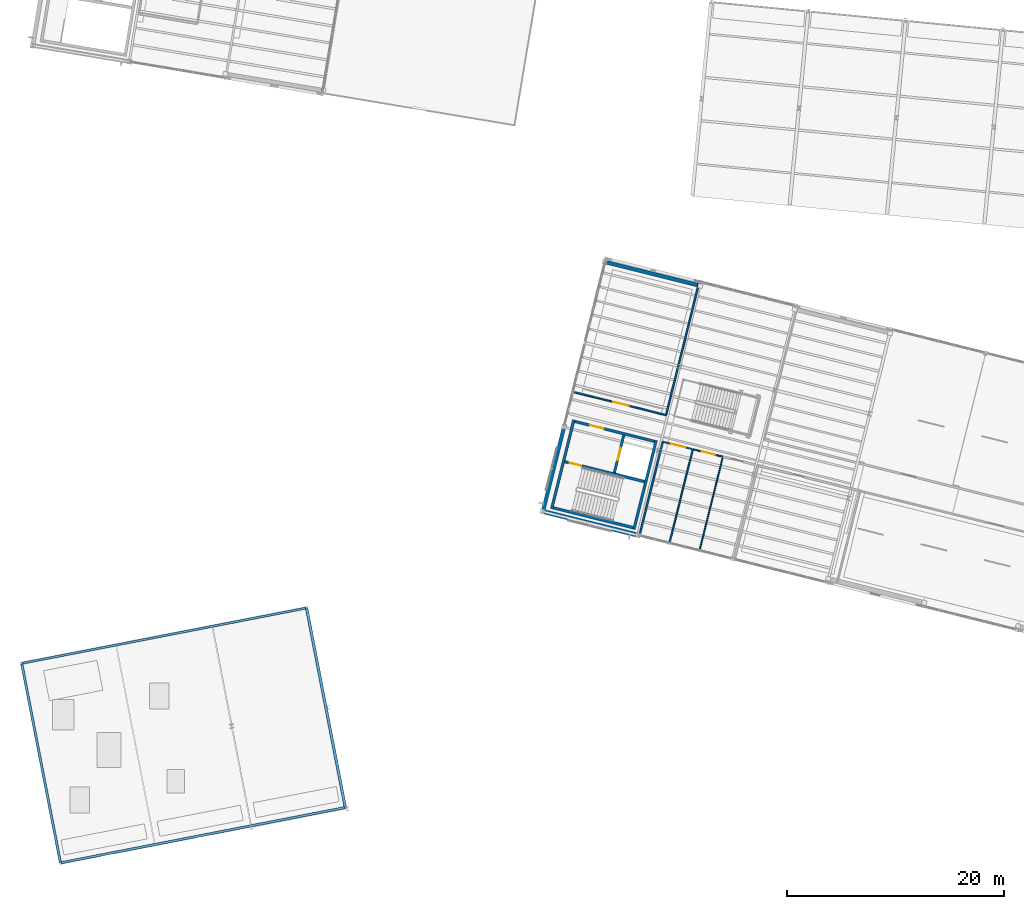
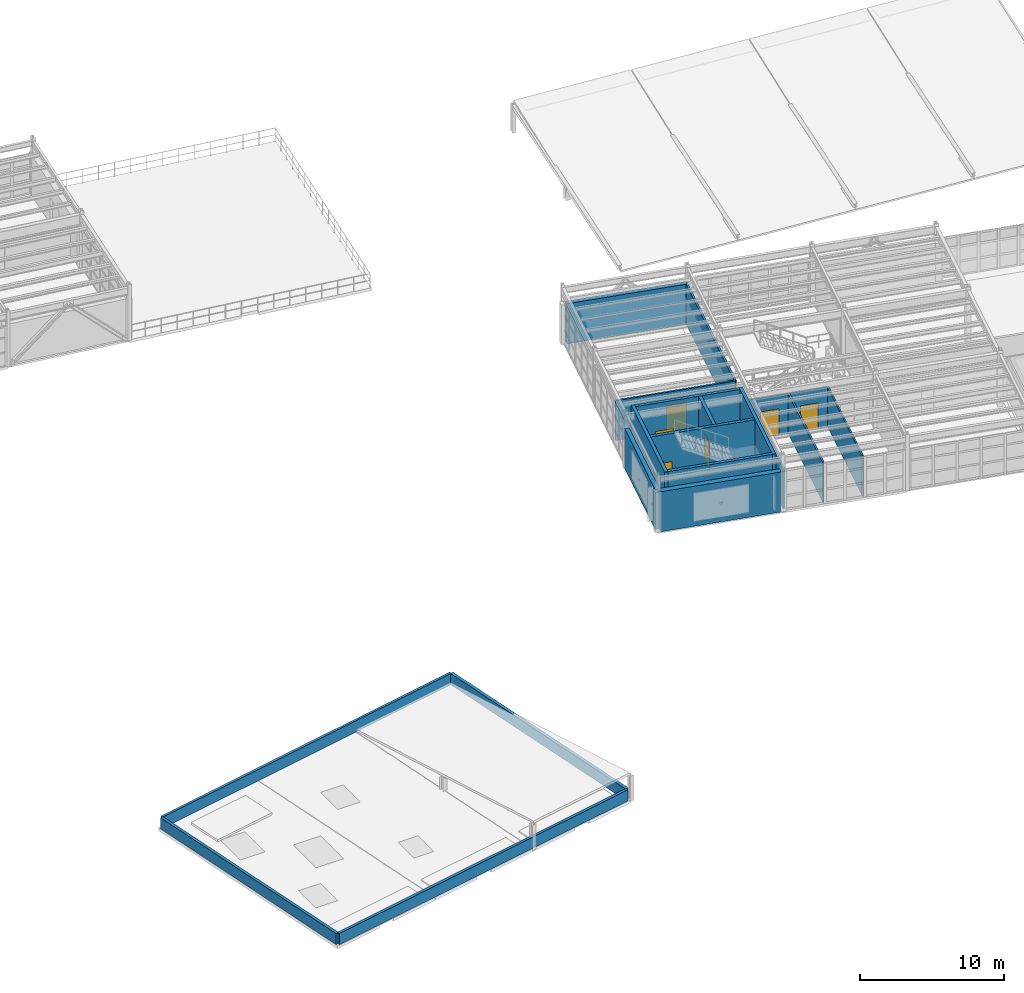
# One storey, part 46 of 59: 20 walls, 6 doors, 6 openings.
"""IFC4 building model written with IfcOpenShell, lengths in metres."""

from ifc_helpers import new_model, si_unit, direction, frame, frame_2d, origin, origin_with_axes, place, context, subcontext, project, spatial, rectangle, extrude, material, layer, layer_set, type_object, element, fill, save


model = new_model("IFC4")

# Units and contexts
model_context = context("Model", 3, precision=1e-05, world=origin(), true_north=direction((0.0, 1.0)))
body_context = subcontext(model_context, "Body", "Model", "MODEL_VIEW")
ifc_project = project(units=[si_unit("LENGTHUNIT", "METRE"), si_unit("AREAUNIT", "SQUARE_METRE"), si_unit("VOLUMEUNIT", "CUBIC_METRE"), si_unit("PLANEANGLEUNIT", "RADIAN"), si_unit("MASSUNIT", "GRAM", prefix="KILO")], contexts=[model_context])

# Site, building, storey
site_placement = place(None, origin())
site = spatial("IfcSite", under=ifc_project, at=site_placement, CompositionType="ELEMENT")
building_placement = place(site_placement, origin())
building = spatial("IfcBuilding", under=site, at=building_placement, Name="Vireo Bluff Cable Station", CompositionType="ELEMENT")
storey_placement = place(building_placement, frame((0.0, 0.0, 14.39990234375)))
storey = spatial("IfcBuildingStorey", under=building, at=storey_placement, Name="L03", CompositionType="ELEMENT", Elevation=14.39990234375)

# Walls
ifc_material_1 = material(Name="Precast concrete f'c 45 MPa", Category="concrete")
ifc_layer_1 = layer(ifc_material_1, 0.330078125, Name="Precast concrete f'c 45 MPa")
ifc_layer_set_1 = layer_set([ifc_layer_1], Name="Precast concrete f'c 45 MPa")
wall_type_1 = type_object("IfcWallType", Name="EW-PRECAST-330", PredefinedType="SOLIDWALL", material=ifc_layer_set_1)
wall_1_placement = place(storey_placement, frame((54.0380859375, 38.15234375, 0.0), z_axis=(0.0, 0.0, 1.0), x_axis=(0.241915404105, 0.970297344764, 0.0)))
element("IfcWall", 1, at=wall_1_placement, inside=storey, type_object=wall_type_1, Name="V1 L03 west exterior wall 20", PredefinedType="SOLIDWALL", context=body_context, shape_type="SweptSolid", body=[
    extrude(rectangle(XDim=7.68798828125, YDim=0.330078125, at=frame_2d((3.843994140625, 0.0))), origin(), (0.0, 0.0, 1.0), 3.400146484375),
])
ifc_layer_2 = layer(ifc_material_1, 0.340087890625, Name="Precast concrete f'c 45 MPa")
ifc_layer_set_2 = layer_set([ifc_layer_2], Name="Precast concrete f'c 45 MPa")
wall_type_2 = type_object("IfcWallType", Name="EW-PRECAST-340", PredefinedType="SOLIDWALL", material=ifc_layer_set_2)
wall_2_placement = place(storey_placement, frame((59.849609375, 60.92578125, 0.0), z_axis=(0.0, 0.0, 1.0), x_axis=(0.970300473491, -0.241902854765, 0.0)))
element("IfcWall", 2, at=wall_2_placement, inside=storey, type_object=wall_type_2, Name="V1 L03 north exterior wall 21", PredefinedType="SOLIDWALL", context=body_context, shape_type="SweptSolid", body=[
    extrude(rectangle(XDim=8.7158203125, YDim=0.340087890625, at=frame_2d((4.35791015625, 0.0))), origin(), (0.0, 0.0, 1.0), 3.400146484375),
])
ifc_layer_3 = layer(ifc_material_1, 0.419921875, Name="Precast concrete f'c 45 MPa")
ifc_layer_set_3 = layer_set([ifc_layer_3], Name="Precast concrete f'c 45 MPa")
wall_type_3 = type_object("IfcWallType", Name="EW-PRECAST-420", PredefinedType="SOLIDWALL", material=ifc_layer_set_3)
wall_3_placement = place(storey_placement, frame((62.581787109375, 35.8603515625, 0.0), z_axis=(0.0, 0.0, 1.0), x_axis=(-0.970297194987, 0.241916004847, 0.0)))
element("IfcWall", 3, at=wall_3_placement, inside=storey, type_object=wall_type_3, Name="V1 L03 south exterior wall 19", PredefinedType="SOLIDWALL", context=body_context, shape_type="SweptSolid", body=[
    extrude(rectangle(XDim=8.71533203125, YDim=0.419921875, at=frame_2d((4.357666015625, 0.0))), origin(), (0.0, 0.0, 1.0), 3.400146484375),
])
ifc_material_2 = material(Name="Fire-Rated Gypsum Board Partition")
ifc_layer_4 = layer(ifc_material_2, 0.110107421875, Name="Fire-Rated Gypsum Board Partition")
ifc_layer_set_4 = layer_set([ifc_layer_4], Name="Fire-Rated Gypsum Board Partition")
wall_type_4 = type_object("IfcWallType", Name="PT-1HR-110", PredefinedType="PARTITIONING", material=ifc_layer_set_4)
wall_4_placement = place(storey_placement, frame((68.449951171875, 34.572509765625, 0.0), z_axis=(0.0, 0.0, 1.0), x_axis=(0.24193020533, 0.97029365439, 0.0)))
element("IfcWall", 4, at=wall_4_placement, inside=storey, type_object=wall_type_4, Name="V1 L03 Accessible WC L03 W partition", PredefinedType="PARTITIONING", context=body_context, shape_type="SweptSolid", body=[
    extrude(rectangle(XDim=8.72998046875, YDim=0.110107421875, at=frame_2d((4.364990234375, 0.0))), origin(), (0.0, 0.0, 1.0), 3.380126953125),
])

# Wall, opening, door
ifc_layer_5 = layer(ifc_material_2, 0.1201171875, Name="Fire-Rated Gypsum Board Partition")
ifc_layer_set_5 = layer_set([ifc_layer_5], Name="Fire-Rated Gypsum Board Partition")
wall_type_5 = type_object("IfcWallType", Name="PT-1HR-120", PredefinedType="PARTITIONING", material=ifc_layer_set_5)
wall_5_placement = place(storey_placement, frame((67.796630859375, 43.732666015625, 0.0), z_axis=(0.0, 0.0, 1.0), x_axis=(0.970285942403, -0.241961133193, 0.0)))
wall_5 = element("IfcWall", 5, at=wall_5_placement, inside=storey, type_object=wall_type_5, Name="V1 L03 Female WC L03 N partition", PredefinedType="PARTITIONING", context=body_context, shape_type="SweptSolid", body=[
    extrude(rectangle(XDim=2.800048828125, YDim=0.1201171875, at=frame_2d((1.39990234375, 0.0))), origin(), (0.0, 0.0, 1.0), 3.380126953125),
])
opening_1_placement = place(wall_5_placement, frame((0.85302734375, 0.0, 0.0)))
opening_1 = element("IfcOpeningElement", 6, at=opening_1_placement, cuts=wall_5, Name="Opening D-0053", PredefinedType="OPENING", context=body_context, shape_type="SweptSolid", body=[
    extrude(rectangle(XDim=1.25, YDim=2.14990234375, at=frame_2d((0.625, 1.074951171875))), frame((0.0, 0.070068359375, 0.0), z_axis=(0.0, -1.0, 0.0), x_axis=(1.0, 0.0, 0.0)), (0.0, 0.0, 1.0), 0.14013671875),
])
ifc_material_3 = material(Name="Anodized Aluminium 6063-T6", Category="aluminium")
door_type_1 = type_object("IfcDoorType", Name="IDOOR60-1250X2150", OperationType="NOTDEFINED", PredefinedType="DOOR", material=ifc_material_3)
door_1_placement = place(opening_1_placement, origin_with_axes())
door_1 = element("IfcDoor", 7, at=door_1_placement, inside=storey, type_object=door_type_1, Name="V1 L03 Female WC L03 door D-0053", OperationType="SINGLE_SWING_RIGHT", OverallHeight=2.14990234375, OverallWidth=1.25, PredefinedType="DOOR", context=body_context, shape_type="SweptSolid", body=[
    extrude(rectangle(XDim=1.25, YDim=2.14990234375, at=frame_2d((0.625, 1.074951171875))), frame((0.0, 0.02490234375, 0.0), z_axis=(0.0, -1.0, 0.0), x_axis=(1.0, 0.0, 0.0)), (0.0, 0.0, 1.0), 0.050048828125),
])
fill(opening_1, door_1)

# Wall
ifc_layer_6 = layer(ifc_material_2, 0.1298828125, Name="Fire-Rated Gypsum Board Partition")
ifc_layer_set_6 = layer_set([ifc_layer_6], Name="Fire-Rated Gypsum Board Partition")
wall_type_6 = type_object("IfcWallType", Name="PT-1HR-130", PredefinedType="PARTITIONING", material=ifc_layer_set_6)
wall_6_placement = place(storey_placement, frame((65.6845703125, 35.261962890625, 0.0), z_axis=(0.0, 0.0, 1.0), x_axis=(0.24193020533, 0.97029365439, 0.0)))
element("IfcWall", 8, at=wall_6_placement, inside=storey, type_object=wall_type_6, Name="V1 L03 Female WC L03 W partition", PredefinedType="PARTITIONING", context=body_context, shape_type="SweptSolid", body=[
    extrude(rectangle(XDim=8.72998046875, YDim=0.1298828125, at=frame_2d((4.364990234375, 0.0))), origin(), (0.0, 0.0, 1.0), 3.380126953125),
])

# Wall, opening, door
ifc_layer_7 = layer(ifc_material_2, 0.139892578125, Name="Fire-Rated Gypsum Board Partition")
ifc_layer_set_7 = layer_set([ifc_layer_7], Name="Fire-Rated Gypsum Board Partition")
wall_type_7 = type_object("IfcWallType", Name="PT-1HR-140", PredefinedType="PARTITIONING", material=ifc_layer_set_7)
wall_7_placement = place(storey_placement, frame((65.3330078125, 46.871826171875, 0.0), z_axis=(0.0, 0.0, 1.0), x_axis=(-0.970297822064, 0.241913489697, 0.0)))
wall_7 = element("IfcWall", 9, at=wall_7_placement, inside=storey, type_object=wall_type_7, Name="V1 L03 Passenger Waiting Lounge S partition", PredefinedType="PARTITIONING", context=body_context, shape_type="SweptSolid", body=[
    extrude(rectangle(XDim=8.68017578125, YDim=0.139892578125, at=frame_2d((4.340087890625, 0.0))), origin(), (0.0, 0.0, 1.0), 3.380126953125),
])
opening_2_placement = place(wall_7_placement, frame((3.554931640625, 0.0, 0.0)))
opening_2 = element("IfcOpeningElement", 10, at=opening_2_placement, cuts=wall_7, Name="Opening D-0050", PredefinedType="OPENING", context=body_context, shape_type="SweptSolid", body=[
    extrude(rectangle(XDim=1.43994140625, YDim=2.219970703125, at=frame_2d((0.719970703125, 1.10986328125))), frame((0.0, 0.080078125, 0.0), z_axis=(0.0, -1.0, 0.0), x_axis=(1.0, 0.0, 0.0)), (0.0, 0.0, 1.0), 0.159912109375),
])
door_type_2 = type_object("IfcDoorType", Name="IDOOR60-1440X2220", OperationType="NOTDEFINED", PredefinedType="DOOR", material=ifc_material_3)
door_2_placement = place(opening_2_placement, origin_with_axes())
door_2 = element("IfcDoor", 11, at=door_2_placement, inside=storey, type_object=door_type_2, Name="V1 L03 Passenger Waiting Lounge door D-0050", OperationType="SINGLE_SWING_LEFT", OverallHeight=2.219970703125, OverallWidth=1.43994140625, PredefinedType="DOOR", context=body_context, shape_type="SweptSolid", body=[
    extrude(rectangle(XDim=1.43994140625, YDim=2.219970703125, at=frame_2d((0.719970703125, 1.10986328125))), frame((0.0, 0.02490234375, 0.0), z_axis=(0.0, -1.0, 0.0), x_axis=(1.0, 0.0, 0.0)), (0.0, 0.0, 1.0), 0.050048828125),
])
fill(opening_2, door_2)

wall_8_placement = place(storey_placement, frame((65.03125, 44.422119140625, 0.0), z_axis=(0.0, 0.0, 1.0), x_axis=(0.970285942403, -0.241961133193, 0.0)))
wall_8 = element("IfcWall", 12, at=wall_8_placement, inside=storey, type_object=wall_type_7, Name="V1 L03 Male WC L03 N partition", PredefinedType="PARTITIONING", context=body_context, shape_type="SweptSolid", body=[
    extrude(rectangle(XDim=2.800048828125, YDim=0.139892578125, at=frame_2d((1.39990234375, 0.0))), origin(), (0.0, 0.0, 1.0), 3.380126953125),
])
opening_3_placement = place(wall_8_placement, frame((0.791015625, 0.0, 0.0)))
opening_3 = element("IfcOpeningElement", 13, at=opening_3_placement, cuts=wall_8, Name="Opening D-0054", PredefinedType="OPENING", context=body_context, shape_type="SweptSolid", body=[
    extrude(rectangle(XDim=1.35009765625, YDim=2.199951171875, at=frame_2d((0.675048828125, 1.10009765625))), frame((0.0, 0.080078125, 0.0), z_axis=(0.0, -1.0, 0.0), x_axis=(1.0, 0.0, 0.0)), (0.0, 0.0, 1.0), 0.159912109375),
])
door_type_3 = type_object("IfcDoorType", Name="IDOOR60-1350X2200", OperationType="NOTDEFINED", PredefinedType="DOOR", material=ifc_material_3)
door_3_placement = place(opening_3_placement, origin_with_axes())
door_3 = element("IfcDoor", 14, at=door_3_placement, inside=storey, type_object=door_type_3, Name="V1 L03 Male WC L03 door D-0054", OperationType="SINGLE_SWING_LEFT", OverallHeight=2.199951171875, OverallWidth=1.35009765625, PredefinedType="DOOR", context=body_context, shape_type="SweptSolid", body=[
    extrude(rectangle(XDim=1.35009765625, YDim=2.199951171875, at=frame_2d((0.675048828125, 1.10009765625))), frame((0.0, 0.02490234375, 0.0), z_axis=(0.0, -1.0, 0.0), x_axis=(1.0, 0.0, 0.0)), (0.0, 0.0, 1.0), 0.050048828125),
])
fill(opening_3, door_3)

# Walls
ifc_layer_8 = layer(ifc_material_2, 0.14990234375, Name="Fire-Rated Gypsum Board Partition")
ifc_layer_set_8 = layer_set([ifc_layer_8], Name="Fire-Rated Gypsum Board Partition")
wall_type_8 = type_object("IfcWallType", Name="PT-1HR-150", PredefinedType="PARTITIONING", material=ifc_layer_set_8)
wall_9_placement = place(storey_placement, frame((68.35205078125, 58.981201171875, 0.0), z_axis=(0.0, 0.0, 1.0), x_axis=(-0.24190957532, -0.970298797984, 0.0)))
element("IfcWall", 15, at=wall_9_placement, inside=storey, type_object=wall_type_8, Name="V1 L03 Passenger Waiting Lounge E partition", PredefinedType="PARTITIONING", context=body_context, shape_type="SweptSolid", body=[
    extrude(rectangle(XDim=12.47998046875, YDim=0.14990234375, at=frame_2d((6.239990234375, 0.0))), origin(), (0.0, 0.0, 1.0), 3.380126953125),
])
wall_10_placement = place(storey_placement, frame((62.91943359375, 35.951416015625, 0.0), z_axis=(0.0, 0.0, 1.0), x_axis=(0.241903876317, 0.97030021881, 0.0)))
element("IfcWall", 16, at=wall_10_placement, inside=storey, type_object=wall_type_8, Name="V1 L03 Male WC L03 W partition", PredefinedType="PARTITIONING", context=body_context, shape_type="SweptSolid", body=[
    extrude(rectangle(XDim=8.72998046875, YDim=0.14990234375, at=frame_2d((4.364990234375, 0.0))), origin(), (0.0, 0.0, 1.0), 3.380126953125),
])
ifc_layer_9 = layer(ifc_material_1, 0.199951171875, Name="Precast concrete f'c 45 MPa")
ifc_layer_set_9 = layer_set([ifc_layer_9], Name="Precast concrete f'c 45 MPa")
wall_type_9 = type_object("IfcWallType", Name="PW-PARAPET-200", PredefinedType="PARAPET", material=ifc_layer_set_9)
wall_11_placement = place(storey_placement, frame((32.2109375, 29.117431640625, 0.0), z_axis=(0.0, 0.0, 1.0), x_axis=(-0.981626088057, -0.190814630588, 0.0)))
element("IfcWall", 17, at=wall_11_placement, inside=storey, type_object=wall_type_9, Name="V5 L03 roof parapet 3", PredefinedType="PARAPET", context=body_context, shape_type="SweptSolid", body=[
    extrude(rectangle(XDim=26.60009765625, YDim=0.199951171875, at=frame_2d((13.300048828125, 0.0))), origin(), (0.0, 0.0, 1.0), 0.9501953125),
])
ifc_layer_10 = layer(ifc_material_1, 0.219970703125, Name="Precast concrete f'c 45 MPa")
ifc_layer_set_10 = layer_set([ifc_layer_10], Name="Precast concrete f'c 45 MPa")
wall_type_10 = type_object("IfcWallType", Name="PW-PARAPET-220", PredefinedType="PARAPET", material=ifc_layer_set_10)
wall_12_placement = place(storey_placement, frame((9.667724609375, 5.685302734375, 0.0), z_axis=(0.0, 0.0, 1.0), x_axis=(0.981626088057, 0.190814630588, 0.0)))
element("IfcWall", 18, at=wall_12_placement, inside=storey, type_object=wall_type_10, Name="V5 L03 roof parapet 1", PredefinedType="PARAPET", context=body_context, shape_type="SweptSolid", body=[
    extrude(rectangle(XDim=26.60009765625, YDim=0.219970703125, at=frame_2d((13.300048828125, 0.0))), origin(), (0.0, 0.0, 1.0), 0.9501953125),
])
wall_13_placement = place(storey_placement, frame((6.06005859375, 23.983154296875, 0.0), z_axis=(0.0, 0.0, 1.0), x_axis=(0.190809933863, -0.981627001024, 0.0)))
element("IfcWall", 19, at=wall_13_placement, inside=storey, type_object=wall_type_10, Name="V5 L03 roof parapet 4", PredefinedType="PARAPET", context=body_context, shape_type="SweptSolid", body=[
    extrude(rectangle(XDim=18.60009765625, YDim=0.219970703125, at=frame_2d((9.300048828125, 0.0))), origin(), (0.0, 0.0, 1.0), 0.9501953125),
])
ifc_layer_11 = layer(ifc_material_1, 0.25, Name="Precast concrete f'c 45 MPa")
ifc_layer_set_11 = layer_set([ifc_layer_11], Name="Precast concrete f'c 45 MPa")
wall_type_11 = type_object("IfcWallType", Name="PW-PARAPET-250", PredefinedType="PARAPET", material=ifc_layer_set_11)
wall_14_placement = place(storey_placement, frame((35.818603515625, 10.819580078125, 0.0), z_axis=(0.0, 0.0, 1.0), x_axis=(-0.190809933863, 0.981627001024, 0.0)))
element("IfcWall", 20, at=wall_14_placement, inside=storey, type_object=wall_type_11, Name="V5 L03 roof parapet 2", PredefinedType="PARAPET", context=body_context, shape_type="SweptSolid", body=[
    extrude(rectangle(XDim=18.60009765625, YDim=0.25, at=frame_2d((9.300048828125, 0.0))), origin(), (0.0, 0.0, 1.0), 0.9501953125),
])
ifc_material_4 = material(Name="Concrete f'c 40 MPa", Category="concrete")
ifc_layer_12 = layer(ifc_material_4, 0.25, Name="Concrete f'c 40 MPa")
ifc_layer_set_12 = layer_set([ifc_layer_12], Name="Concrete f'c 40 MPa")
wall_type_12 = type_object("IfcWallType", Name="SW-CORE-250", PredefinedType="SHEAR", material=ifc_layer_set_12)
for number, where, z_axis, x_axis, name in (
    (21, (54.809814453125, 38.25146484375, 0.0), (0.0, 0.0, 1.0), (0.24193628408, 0.970292138712, 0.0), "CORE-2 L03 core W shear wall"),
    (22, (62.378173828125, 36.364501953125, 0.0), (0.0, 0.0, 1.0), (0.24193628408, 0.970292138712, 0.0), "CORE-2 L03 core E shear wall"),
):
    element("IfcWall", number, at=place(storey_placement, frame(where, z_axis=z_axis, x_axis=x_axis)), inside=storey, type_object=wall_type_12, Name=name, PredefinedType="SHEAR", context=body_context, shape_type="SweptSolid", body=[
        extrude(rectangle(XDim=8.43505859375, YDim=0.25, at=frame_2d((4.217529296875, 0.0))), origin(), (0.0, 0.0, 1.0), 4.5400390625),
    ])
wall_15_placement = place(storey_placement, frame((54.96142578125, 38.342529296875, 0.0), z_axis=(0.0, 0.0, 1.0), x_axis=(0.97029827707, -0.241911664693, 0.0)))
element("IfcWall", 23, at=wall_15_placement, inside=storey, type_object=wall_type_12, Name="CORE-2 L03 stair shaft south shear wall", PredefinedType="SHEAR", context=body_context, shape_type="SweptSolid", body=[
    extrude(rectangle(XDim=7.550048828125, YDim=0.25, at=frame_2d((3.77490234375, 0.0))), origin(), (0.0, 0.0, 1.0), 4.5400390625),
])

# Wall, opening, door
wall_16_placement = place(storey_placement, frame((63.344482421875, 40.75634765625, 0.0), z_axis=(0.0, 0.0, 1.0), x_axis=(-0.970300169372, 0.241904074618, 0.0)))
wall_16 = element("IfcWall", 24, at=wall_16_placement, inside=storey, type_object=wall_type_12, Name="CORE-2 L03 stair shaft north shear wall", PredefinedType="SHEAR", context=body_context, shape_type="SweptSolid", body=[
    extrude(rectangle(XDim=7.550048828125, YDim=0.25, at=frame_2d((3.77490234375, 0.0))), origin(), (0.0, 0.0, 1.0), 4.5400390625),
])
opening_4_placement = place(wall_16_placement, frame((6.0, 0.0, 0.0)))
opening_4 = element("IfcOpeningElement", 25, at=opening_4_placement, cuts=wall_16, Name="Opening SD-013", PredefinedType="OPENING", context=body_context, shape_type="SweptSolid", body=[
    extrude(rectangle(XDim=1.10009765625, YDim=2.14990234375, at=frame_2d((0.550048828125, 1.074951171875))), frame((0.0, 0.135009765625, 0.0), z_axis=(0.0, -1.0, 0.0), x_axis=(1.0, 0.0, 0.0)), (0.0, 0.0, 1.0), 0.27001953125),
])
ifc_material_5 = material(Name="Stainless Steel 316", Category="steel")
door_type_4 = type_object("IfcDoorType", Name="IDOOR90-1100X2150", OperationType="NOTDEFINED", PredefinedType="DOOR", material=ifc_material_5)
door_4_placement = place(opening_4_placement, origin_with_axes())
door_4 = element("IfcDoor", 26, at=door_4_placement, inside=storey, type_object=door_type_4, Name="CORE-2 L03 stair fire door SD-013", OperationType="SINGLE_SWING_RIGHT", OverallHeight=2.14990234375, OverallWidth=1.10009765625, PredefinedType="DOOR", context=body_context, shape_type="SweptSolid", body=[
    extrude(rectangle(XDim=1.10009765625, YDim=2.14990234375, at=frame_2d((0.550048828125, 1.074951171875))), frame((0.0, 0.02490234375, 0.0), z_axis=(0.0, -1.0, 0.0), x_axis=(1.0, 0.0, 0.0)), (0.0, 0.0, 1.0), 0.050048828125),
])
fill(opening_4, door_4)

wall_17_placement = place(storey_placement, frame((64.267333984375, 44.4580078125, 0.0), z_axis=(0.0, 0.0, 1.0), x_axis=(-0.97029827707, 0.241911664693, 0.0)))
wall_17 = element("IfcWall", 27, at=wall_17_placement, inside=storey, type_object=wall_type_12, Name="CORE-2 L03 core north shear wall", PredefinedType="SHEAR", context=body_context, shape_type="SweptSolid", body=[
    extrude(rectangle(XDim=7.550048828125, YDim=0.25, at=frame_2d((3.77490234375, 0.0))), origin(), (0.0, 0.0, 1.0), 4.5400390625),
])
opening_5_placement = place(wall_17_placement, frame((4.800048828125, 0.0, 0.0)))
opening_5 = element("IfcOpeningElement", 28, at=opening_5_placement, cuts=wall_17, Name="Opening FD-014", PredefinedType="OPENING", context=body_context, shape_type="SweptSolid", body=[
    extrude(rectangle(XDim=1.300048828125, YDim=2.14990234375, at=frame_2d((0.64990234375, 1.074951171875))), frame((0.0, 0.135009765625, 0.0), z_axis=(0.0, -1.0, 0.0), x_axis=(1.0, 0.0, 0.0)), (0.0, 0.0, 1.0), 0.27001953125),
])
door_type_5 = type_object("IfcDoorType", Name="IDOOR90-1300X2150", OperationType="NOTDEFINED", PredefinedType="DOOR", material=ifc_material_5)
door_5_placement = place(opening_5_placement, origin_with_axes())
door_5 = element("IfcDoor", 29, at=door_5_placement, inside=storey, type_object=door_type_5, Name="CORE-2 L03 firefighting lobby door FD-014", OperationType="SINGLE_SWING_LEFT", OverallHeight=2.14990234375, OverallWidth=1.300048828125, PredefinedType="DOOR", context=body_context, shape_type="SweptSolid", body=[
    extrude(rectangle(XDim=1.300048828125, YDim=2.14990234375, at=frame_2d((0.64990234375, 1.074951171875))), frame((0.0, 0.02490234375, 0.0), z_axis=(0.0, -1.0, 0.0), x_axis=(1.0, 0.0, 0.0)), (0.0, 0.0, 1.0), 0.050048828125),
])
fill(opening_5, door_5)

wall_18_placement = place(storey_placement, frame((60.5849609375, 41.572998046875, 0.0), z_axis=(0.0, 0.0, 1.0), x_axis=(0.241939401498, 0.970291361398, 0.0)))
wall_18 = element("IfcWall", 30, at=wall_18_placement, inside=storey, type_object=wall_type_12, Name="CORE-2 L03 lift shaft front wall", PredefinedType="SHEAR", context=body_context, shape_type="SweptSolid", body=[
    extrude(rectangle(XDim=3.565185546875, YDim=0.25, at=frame_2d((1.78271484375, 0.0))), origin(), (0.0, 0.0, 1.0), 4.5400390625),
])
opening_6_placement = place(wall_18_placement, frame((1.1826171875, 0.0, 0.0)))
opening_6 = element("IfcOpeningElement", 31, at=opening_6_placement, cuts=wall_18, Name="Opening LD-007", PredefinedType="OPENING", context=body_context, shape_type="SweptSolid", body=[
    extrude(rectangle(XDim=1.199951171875, YDim=2.14990234375, at=frame_2d((0.60009765625, 1.074951171875))), frame((0.0, 0.135009765625, 0.0), z_axis=(0.0, -1.0, 0.0), x_axis=(1.0, 0.0, 0.0)), (0.0, 0.0, 1.0), 0.27001953125),
])
door_type_6 = type_object("IfcDoorType", Name="LIFTDOOR-1200X2150", OperationType="DOUBLE_DOOR_SLIDING", PredefinedType="DOOR", material=ifc_material_5)
door_6_placement = place(opening_6_placement, origin_with_axes())
door_6 = element("IfcDoor", 32, at=door_6_placement, inside=storey, type_object=door_type_6, Name="CORE-2 L03 lift sliding landing door LD-007", OperationType="DOUBLE_DOOR_SLIDING", OverallHeight=2.14990234375, OverallWidth=1.199951171875, PredefinedType="DOOR", context=body_context, shape_type="SweptSolid", body=[
    extrude(rectangle(XDim=1.199951171875, YDim=2.14990234375, at=frame_2d((0.60009765625, 1.074951171875))), frame((0.0, 0.02490234375, 0.0), z_axis=(0.0, -1.0, 0.0), x_axis=(1.0, 0.0, 0.0)), (0.0, 0.0, 1.0), 0.050048828125),
])
fill(opening_6, door_6)

save(model, "model.ifc")
